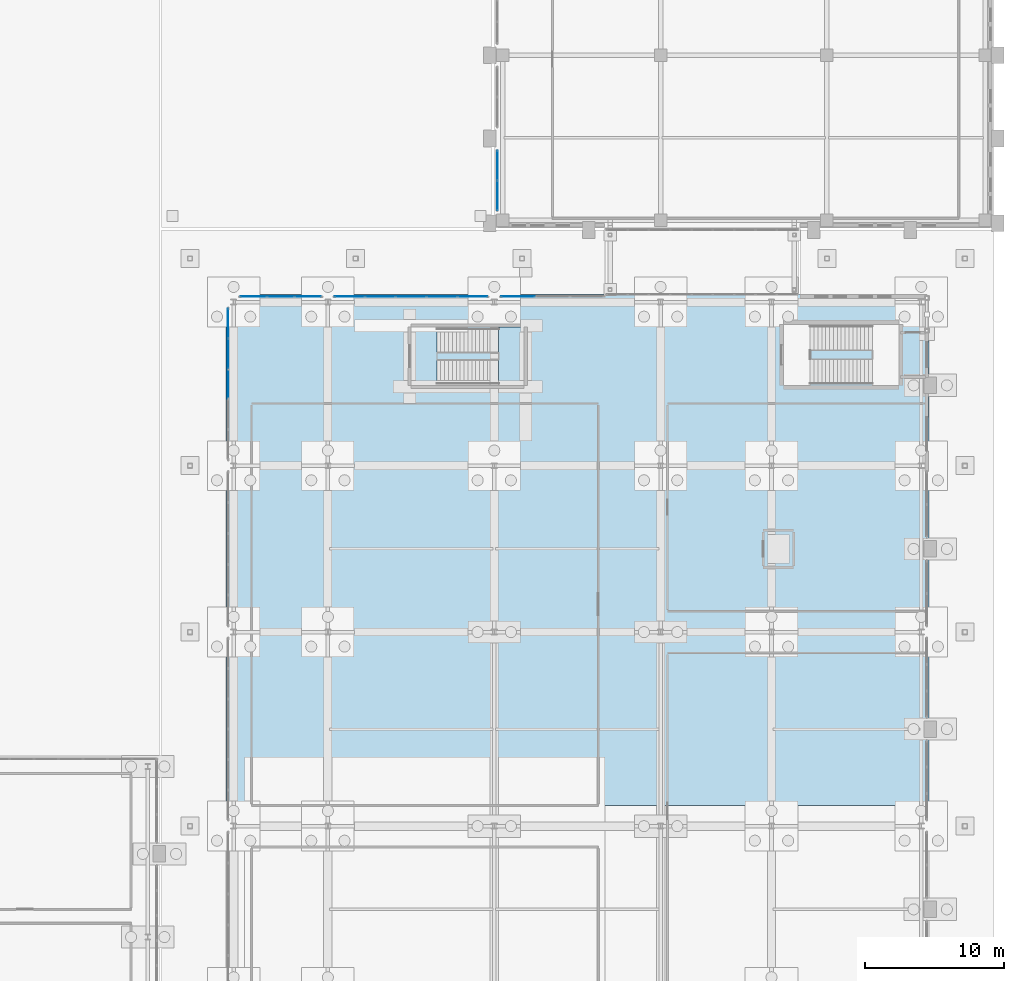
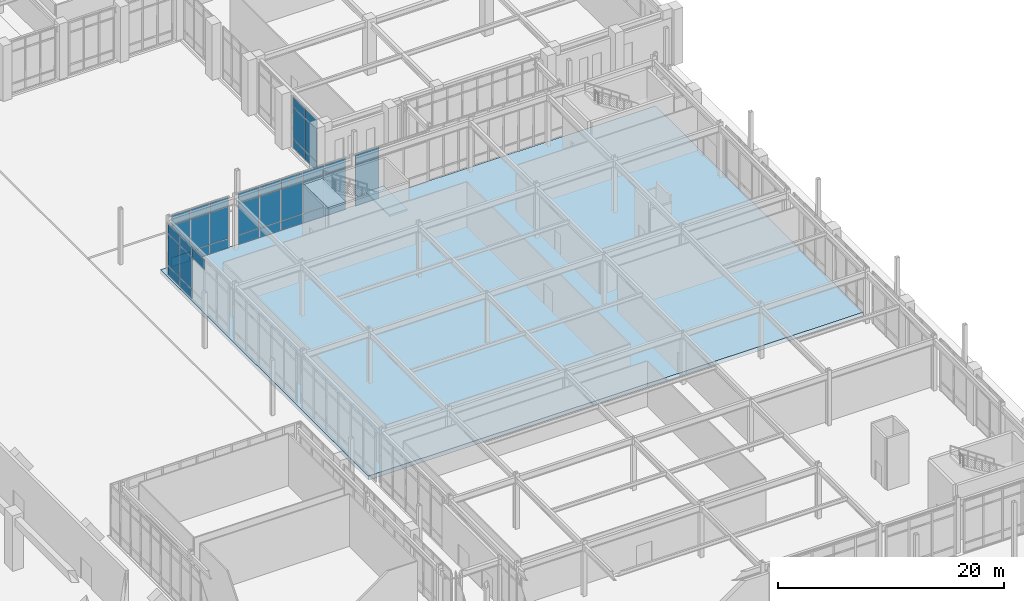
# One storey, part 93 of 143: 40 plates, 3 slabs, 6 elements without a shape of their own.
"""IFC4 building model written with IfcOpenShell, lengths in metres."""

import ifcopenshell
import ifcopenshell.guid

model = None  # the IFC model being written
_history = None  # IfcOwnerHistory: only IFC2X3 demands one
_inside = {}  # id of a spatial element -> (the spatial element, [elements in it])
_under = {}  # id of a project, library or spatial element -> (it, [spatial elements below it])
_declared = {}  # id of a project -> (the project, [libraries it declares])
_typed = {}  # id of a type object -> (the type object, [elements of that type])
_made_of = {}  # id of a material, layer set ... -> (it, [elements and type objects made of it])


def new_model(schema):
    """Start an empty IFC model of exactly this schema.

    Asked for "IFC4X3", IfcOpenShell would pick the latest addendum, in which some entities
    have other attributes; the version numbers below select the first issue.
    IFC2X3 requires an IfcOwnerHistory on every rooted entity: one is made here for all.
    """
    global model, _history
    if schema == "IFC4X3":
        model = ifcopenshell.file(schema_version=(4, 3, 0, 0))
    else:
        model = ifcopenshell.file(schema=schema)
    _inside.clear()
    _under.clear()
    _declared.clear()
    _typed.clear()
    _made_of.clear()
    _history = None
    if model.schema == "IFC2X3":
        org = make("IfcOrganization", Name="unknown")
        user = make(
            "IfcPersonAndOrganization",
            ThePerson=make("IfcPerson", FamilyName="unknown"),
            TheOrganization=org,
        )
        app = make(
            "IfcApplication",
            ApplicationDeveloper=org,
            Version="unknown",
            ApplicationFullName="unknown",
            ApplicationIdentifier="unknown",
        )
        _history = make(
            "IfcOwnerHistory",
            OwningUser=user,
            OwningApplication=app,
            ChangeAction="ADDED",
            CreationDate=0,
        )
    return model


def make(cls, **values):
    """One entity of the class cls with the attributes given. An attribute that is None is left unset."""
    return model.create_entity(
        cls, **{name: value for name, value in values.items() if value is not None}
    )


def rooted(cls, **values):
    """An entity with a GlobalId (a new one), such as an element, a storey or a relation."""
    return make(cls, GlobalId=ifcopenshell.guid.new(), OwnerHistory=_history, **values)


def si_unit(unit_type, name, prefix=None):
    """IfcSIUnit, for example si_unit("LENGTHUNIT", "METRE", prefix="MILLI")."""
    return make("IfcSIUnit", UnitType=unit_type, Prefix=prefix, Name=name)


def derived_unit(unit_type, elements):
    """IfcDerivedUnit: a product of units, each with its exponent."""
    return make(
        "IfcDerivedUnit",
        Elements=[
            make("IfcDerivedUnitElement", Unit=unit, Exponent=power)
            for unit, power in elements
        ],
        UnitType=unit_type,
    )


def assignment(units):
    """IfcUnitAssignment: the units of a project."""
    return None if units is None else make("IfcUnitAssignment", Units=units)


def point(xyz):
    """IfcCartesianPoint."""
    return None if xyz is None else make("IfcCartesianPoint", Coordinates=xyz)


def direction(xyz):
    """IfcDirection."""
    return None if xyz is None else make("IfcDirection", DirectionRatios=xyz)


def frame(location, z_axis=None, x_axis=None):
    """IfcAxis2Placement3D, a coordinate frame: its origin and axes. An axis left out is left unset."""
    return make(
        "IfcAxis2Placement3D",
        Location=point(location),
        Axis=direction(z_axis),
        RefDirection=direction(x_axis),
    )


def frame_2d(location, x_axis=None):
    """IfcAxis2Placement2D, a coordinate frame in the plane: its origin and x axis."""
    return make(
        "IfcAxis2Placement2D", Location=point(location), RefDirection=direction(x_axis)
    )


def origin():
    """The frame at (0, 0, 0) with its axes left unset."""
    return frame((0.0, 0.0, 0.0))


def origin_2d():
    """The frame at (0, 0) in the plane with its x axis left unset."""
    return frame_2d((0.0, 0.0))


def place(relative_to, where):
    """IfcLocalPlacement: puts the frame where relative to a parent placement (None: the world)."""
    return make(
        "IfcLocalPlacement", PlacementRelTo=relative_to, RelativePlacement=where
    )


def context(
    kind, dimensions, precision=None, world=None, true_north=None, identifier=None
):
    """IfcGeometricRepresentationContext, for example the 3D "Model" context."""
    return make(
        "IfcGeometricRepresentationContext",
        ContextIdentifier=identifier,
        ContextType=kind,
        CoordinateSpaceDimension=dimensions,
        Precision=precision,
        WorldCoordinateSystem=world,
        TrueNorth=true_north,
    )


def subcontext(parent, identifier, kind, view, scale=None):
    """IfcGeometricRepresentationSubContext, for example "Body" below "Model"."""
    return make(
        "IfcGeometricRepresentationSubContext",
        ContextIdentifier=identifier,
        ContextType=kind,
        ParentContext=parent,
        TargetScale=scale,
        TargetView=view,
    )


def project(units=None, contexts=None):
    """IfcProject with its units and contexts."""
    return rooted(
        "IfcProject",
        Name="project",
        RepresentationContexts=contexts,
        UnitsInContext=assignment(units),
    )


def spatial(cls, under=None, at=None, **own):
    """A site, building, storey or space (cls), placed at a placement, below another one or the project."""
    s = rooted(cls, ObjectPlacement=at, **own)
    if under is not None:
        _under.setdefault(under.id(), (under, []))[1].append(s)
    return s


def polyline(points):
    """IfcPolyline through the points."""
    return make("IfcPolyline", Points=[point(p) for p in points])


def profile(cls, at=None, kind="AREA", **sizes):
    """A parametric profile (cls). Its sizes go by their IFC names, for example OverallWidth=200.0."""
    return make(cls, ProfileType=kind, Position=at, **sizes)


def rectangle(**sizes):
    """IfcRectangleProfileDef."""
    return profile("IfcRectangleProfileDef", **sizes)


def outline(outer, holes=None, kind="AREA"):
    """IfcArbitraryClosedProfileDef: a profile drawn as a closed curve; with holes, ...WithVoids."""
    if holes is None:
        return make("IfcArbitraryClosedProfileDef", ProfileType=kind, OuterCurve=outer)
    return make(
        "IfcArbitraryProfileDefWithVoids",
        ProfileType=kind,
        OuterCurve=outer,
        InnerCurves=holes,
    )


def extrude(swept, where, along, depth):
    """IfcExtrudedAreaSolid: the profile swept, set in the frame where, extruded along a direction by depth."""
    return make(
        "IfcExtrudedAreaSolid",
        SweptArea=swept,
        Position=where,
        ExtrudedDirection=direction(along),
        Depth=depth,
    )


def shape(context_of_items, identifier, shape_type, items):
    """IfcShapeRepresentation: the items that make up one representation, for example the "Body"."""
    return make(
        "IfcShapeRepresentation",
        ContextOfItems=context_of_items,
        RepresentationIdentifier=identifier,
        RepresentationType=shape_type,
        Items=items,
    )


def material(Name=None, Category=None):
    """IfcMaterial."""
    return make("IfcMaterial", Name=Name, Category=Category)


def layer(
    of_material, thickness, ventilated=None, Name=None, Category=None, Priority=None
):
    """IfcMaterialLayer: one layer of a wall or slab, of a material (None: an air gap)."""
    return make(
        "IfcMaterialLayer",
        Material=of_material,
        LayerThickness=thickness,
        IsVentilated=ventilated,
        Name=Name,
        Category=Category,
        Priority=Priority,
    )


def layer_set(layers, Name=None):
    """IfcMaterialLayerSet."""
    return make("IfcMaterialLayerSet", MaterialLayers=layers, LayerSetName=Name)


def made_of(thing, what):
    """Note that an element or type object is made of a material, layer set ...; save() writes the relation."""
    if what is not None:
        _made_of.setdefault(what.id(), (what, []))[1].append(thing)
    return thing


def type_object(cls, material=None, **own):
    """A type object (cls), such as IfcWallType, which elements share."""
    return made_of(rooted(cls, **own), material)


def element(
    cls,
    number,
    at=None,
    inside=None,
    cuts=None,
    type_object=None,
    material=None,
    context=None,
    identifier="Body",
    shape_type=None,
    held_by="IfcProductDefinitionShape",
    body=None,
    shapes=None,
    **own,
):
    """One element of the class cls, such as IfcWall. Its Tag is "e" and its number.

    at: its placement. inside: the storey or other place that contains it. cuts: it is an
    opening in that element (IfcRelVoidsElement). A single representation is given by context,
    identifier, shape_type and body (its items); several are given by shapes. held_by: the class
    of the entity that holds the representations. save() writes the other relations.
    """
    e = rooted(cls, Tag="e%d" % number, ObjectPlacement=at, **own)
    if body is not None:
        shapes = [shape(context, identifier, shape_type, body)]
    if shapes is not None:
        e.Representation = make(held_by, Representations=shapes)
    if inside is not None:
        _inside.setdefault(inside.id(), (inside, []))[1].append(e)
    if cuts is not None:
        rooted(
            "IfcRelVoidsElement", RelatingBuildingElement=cuts, RelatedOpeningElement=e
        )
    if type_object is not None:
        _typed.setdefault(type_object.id(), (type_object, []))[1].append(e)
    return made_of(e, material)


def aggregate(whole, parts):
    """IfcRelAggregates: a whole, such as a stair, and the parts it consists of."""
    return rooted("IfcRelAggregates", RelatingObject=whole, RelatedObjects=parts)


def save(model, path):
    """Write the relations noted so far, then the file.

    IfcRelAggregates (storeys below a building ...), IfcRelContainedInSpatialStructure (elements
    in a storey), IfcRelDefinesByType, IfcRelAssociatesMaterial and IfcRelDeclares: one each for
    every whole, place, type object, material and project.
    """
    for whole, parts in _under.values():
        aggregate(whole, parts)
    for where, things in _inside.values():
        rooted(
            "IfcRelContainedInSpatialStructure",
            RelatedElements=things,
            RelatingStructure=where,
        )
    for kind, things in _typed.values():
        rooted("IfcRelDefinesByType", RelatedObjects=things, RelatingType=kind)
    for what, things in _made_of.values():
        rooted("IfcRelAssociatesMaterial", RelatedObjects=things, RelatingMaterial=what)
    for by, libraries in _declared.values():
        rooted("IfcRelDeclares", RelatingContext=by, RelatedDefinitions=libraries)
    model.write(path)


model = new_model("IFC4")

# Units and contexts
model_context = context("Model", 3, precision=1e-05, world=origin(), true_north=direction((0.0, 1.0)))
body_context = subcontext(model_context, "Body", "Model", "MODEL_VIEW")
ifc_project = project(units=[si_unit("LENGTHUNIT", "METRE"), si_unit("AREAUNIT", "SQUARE_METRE"), si_unit("VOLUMEUNIT", "CUBIC_METRE"), si_unit("PLANEANGLEUNIT", "RADIAN"), si_unit("MASSUNIT", "GRAM", prefix="KILO"), derived_unit("THERMALTRANSMITTANCEUNIT", [(si_unit("MASSUNIT", "GRAM", prefix="KILO"), 1), (si_unit("TIMEUNIT", "SECOND"), -3), (si_unit("THERMODYNAMICTEMPERATUREUNIT", "KELVIN"), -1)])], contexts=[model_context])

# Site, building, storey
site_placement = place(None, origin())
site = spatial("IfcSite", under=ifc_project, at=site_placement, CompositionType="ELEMENT")
building_placement = place(site_placement, origin())
building = spatial("IfcBuilding", under=site, at=building_placement, Name="Valcora Ridge Arena", CompositionType="ELEMENT")
storey_placement = place(building_placement, origin())
storey = spatial("IfcBuildingStorey", under=building, at=storey_placement, Name="L00", CompositionType="ELEMENT", Elevation=0.0)

# Stair, slabs
ifc_material_1 = material(Name="Concrete C40/50", Category="concrete")
stair_type = type_object("IfcStairType", Name="TY-STAIR-ES12-60", PredefinedType="HALF_TURN_STAIR", material=ifc_material_1)
stair_placement = place(storey_placement, origin())
stair = element("IfcStair", 1, at=stair_placement, inside=storey, type_object=stair_type, Name="ES12-60 STR-ES-0037", PredefinedType="HALF_TURN_STAIR")
ifc_layer_1 = layer(ifc_material_1, 0.199951171875, Name="Concrete C40/50")
ifc_layer_set_1 = layer_set([ifc_layer_1], Name="Concrete C40/50")
slab_type_1 = type_object("IfcSlabType", Name="TY-LAND-ES12-60", PredefinedType="LANDING", material=ifc_layer_set_1)
slab_1_placement = place(storey_placement, frame((0.0, 0.0, 2.800048828125)))
slab_1 = element("IfcSlab", 2, at=slab_1_placement, type_object=slab_type_1, Name="ES12-60 landing 1", PredefinedType="LANDING", context=body_context, shape_type="SweptSolid", body=[
    extrude(outline(polyline([(156.320068359375, 71.802001953125), (158.157958984375, 71.802001953125), (158.157958984375, 75.998046875), (156.320068359375, 75.998046875), (156.320068359375, 71.802001953125)])), origin(), (0.0, 0.0, 1.0), 0.199951171875),
])
slab_2_placement = place(storey_placement, frame((0.0, 0.0, 5.800048828125)))
slab_2 = element("IfcSlab", 3, at=slab_2_placement, type_object=slab_type_1, Name="ES12-60 landing 2", PredefinedType="LANDING", context=body_context, shape_type="SweptSolid", body=[
    extrude(outline(polyline([(150.001953125, 71.802001953125), (151.8798828125, 71.802001953125), (151.8798828125, 75.998046875), (150.001953125, 75.998046875), (150.001953125, 71.802001953125)])), origin(), (0.0, 0.0, 1.0), 0.199951171875),
])
aggregate(stair, [slab_1, slab_2])

# Curtain wall, plates
ifc_material_2 = material(Name="Anodised dark bronze architectural aluminium 6063-T6", Category="aluminium")
ifc_layer_2 = layer(ifc_material_2, 0.179931640625, Name="Anodised dark bronze architectural aluminium 6063-T6")
ifc_layer_set_2 = layer_set([ifc_layer_2], Name="Anodised dark bronze architectural aluminium 6063-T6")
curtain_wall_type_1 = type_object("IfcCurtainWallType", Name="TY-CURTAINWALL-CW-V2-GLAZ-059X56", PredefinedType="NOTDEFINED", material=ifc_layer_set_2)
curtain_wall_1_placement = place(storey_placement, origin())
curtain_wall_1 = element("IfcCurtainWall", 4, at=curtain_wall_1_placement, inside=storey, type_object=curtain_wall_type_1, Name="CW-V2-GLAZ-059X56 CW-0036", PredefinedType="NOTDEFINED")
ifc_material_3 = material(Name="Low-iron solar-control double glazing SHGC 0.28", Category="glass")
ifc_layer_3 = layer(ifc_material_3, 0.028076171875, Name="Low-iron solar-control double glazing SHGC 0.28")
ifc_layer_set_3 = layer_set([ifc_layer_3], Name="Low-iron solar-control double glazing SHGC 0.28")
plate_type_1 = type_object("IfcPlateType", Name="TY-PLT-CWP-1884X0975", PredefinedType="CURTAIN_PANEL", material=ifc_layer_set_3)
plate_1_placement = place(storey_placement, frame((138.6416015625, 78.199951171875, 0.050048828125), z_axis=(0.0, 0.0, 1.0), x_axis=(1.0, 0.0, 0.0)))
plate_1 = element("IfcPlate", 5, at=plate_1_placement, type_object=plate_type_1, Name="CW-0036/P00-00", PredefinedType="CURTAIN_PANEL", context=body_context, shape_type="SweptSolid", body=[
    extrude(rectangle(XDim=1.884033203125, YDim=0.028076171875, at=origin_2d()), origin(), (0.0, 0.0, 1.0), 0.97509765625),
])
plate_2_placement = place(storey_placement, frame((142.55859375, 78.199951171875, 0.050048828125), z_axis=(0.0, 0.0, 1.0), x_axis=(1.0, 0.0, 0.0)))
plate_2 = element("IfcPlate", 6, at=plate_2_placement, type_object=plate_type_1, Name="CW-0036/P02-00", PredefinedType="CURTAIN_PANEL", context=body_context, shape_type="SweptSolid", body=[
    extrude(rectangle(XDim=1.884033203125, YDim=0.028076171875, at=origin_2d()), origin(), (0.0, 0.0, 1.0), 0.97509765625),
])
ifc_layer_4 = layer(ifc_material_3, 0.028076171875, Name="Low-iron solar-control double glazing SHGC 0.28")
ifc_layer_set_4 = layer_set([ifc_layer_4], Name="Low-iron solar-control double glazing SHGC 0.28")
plate_type_2 = type_object("IfcPlateType", Name="TY-PLT-CWP-1884X1025", PredefinedType="CURTAIN_PANEL", material=ifc_layer_set_4)
plate_3_placement = place(storey_placement, frame((138.6416015625, 78.199951171875, 4.545166015625), z_axis=(0.0, 0.0, 1.0), x_axis=(1.0, 0.0, 0.0)))
plate_3 = element("IfcPlate", 7, at=plate_3_placement, type_object=plate_type_2, Name="CW-0036/P00-02", PredefinedType="CURTAIN_PANEL", context=body_context, shape_type="SweptSolid", body=[
    extrude(rectangle(XDim=1.884033203125, YDim=0.028076171875, at=origin_2d()), origin(), (0.0, 0.0, 1.0), 1.02490234375),
])
plate_4_placement = place(storey_placement, frame((142.55859375, 78.199951171875, 4.545166015625), z_axis=(0.0, 0.0, 1.0), x_axis=(1.0, 0.0, 0.0)))
plate_4 = element("IfcPlate", 8, at=plate_4_placement, type_object=plate_type_2, Name="CW-0036/P02-02", PredefinedType="CURTAIN_PANEL", context=body_context, shape_type="SweptSolid", body=[
    extrude(rectangle(XDim=1.884033203125, YDim=0.028076171875, at=origin_2d()), origin(), (0.0, 0.0, 1.0), 1.02490234375),
])
ifc_layer_5 = layer(ifc_material_3, 0.028076171875, Name="Low-iron solar-control double glazing SHGC 0.28")
ifc_layer_set_5 = layer_set([ifc_layer_5], Name="Low-iron solar-control double glazing SHGC 0.28")
plate_type_3 = type_object("IfcPlateType", Name="TY-PLT-CWP-1884X3420", PredefinedType="CURTAIN_PANEL", material=ifc_layer_set_5)
plate_5_placement = place(storey_placement, frame((138.6416015625, 78.199951171875, 1.074951171875), z_axis=(0.0, 0.0, 1.0), x_axis=(1.0, 0.0, 0.0)))
plate_5 = element("IfcPlate", 9, at=plate_5_placement, type_object=plate_type_3, Name="CW-0036/P00-01", PredefinedType="CURTAIN_PANEL", context=body_context, shape_type="SweptSolid", body=[
    extrude(rectangle(XDim=1.884033203125, YDim=0.028076171875, at=origin_2d()), origin(), (0.0, 0.0, 1.0), 3.419921875),
])
plate_6_placement = place(storey_placement, frame((142.55859375, 78.199951171875, 1.074951171875), z_axis=(0.0, 0.0, 1.0), x_axis=(1.0, 0.0, 0.0)))
plate_6 = element("IfcPlate", 10, at=plate_6_placement, type_object=plate_type_3, Name="CW-0036/P02-01", PredefinedType="CURTAIN_PANEL", context=body_context, shape_type="SweptSolid", body=[
    extrude(rectangle(XDim=1.884033203125, YDim=0.028076171875, at=origin_2d()), origin(), (0.0, 0.0, 1.0), 3.419921875),
])
ifc_layer_6 = layer(ifc_material_3, 0.028076171875, Name="Low-iron solar-control double glazing SHGC 0.28")
ifc_layer_set_6 = layer_set([ifc_layer_6], Name="Low-iron solar-control double glazing SHGC 0.28")
plate_type_4 = type_object("IfcPlateType", Name="TY-PLT-CWP-1913X0975", PredefinedType="CURTAIN_PANEL", material=ifc_layer_set_6)
plate_7_placement = place(storey_placement, frame((140.60009765625, 78.199951171875, 0.050048828125), z_axis=(0.0, 0.0, 1.0), x_axis=(1.0, 0.0, 0.0)))
plate_7 = element("IfcPlate", 11, at=plate_7_placement, type_object=plate_type_4, Name="CW-0036/P01-00", PredefinedType="CURTAIN_PANEL", context=body_context, shape_type="SweptSolid", body=[
    extrude(rectangle(XDim=1.9130859375, YDim=0.028076171875, at=origin_2d()), origin(), (0.0, 0.0, 1.0), 0.97509765625),
])
ifc_layer_7 = layer(ifc_material_3, 0.028076171875, Name="Low-iron solar-control double glazing SHGC 0.28")
ifc_layer_set_7 = layer_set([ifc_layer_7], Name="Low-iron solar-control double glazing SHGC 0.28")
plate_type_5 = type_object("IfcPlateType", Name="TY-PLT-CWP-1913X1025", PredefinedType="CURTAIN_PANEL", material=ifc_layer_set_7)
plate_8_placement = place(storey_placement, frame((140.60009765625, 78.199951171875, 4.545166015625), z_axis=(0.0, 0.0, 1.0), x_axis=(1.0, 0.0, 0.0)))
plate_8 = element("IfcPlate", 12, at=plate_8_placement, type_object=plate_type_5, Name="CW-0036/P01-02", PredefinedType="CURTAIN_PANEL", context=body_context, shape_type="SweptSolid", body=[
    extrude(rectangle(XDim=1.9130859375, YDim=0.028076171875, at=origin_2d()), origin(), (0.0, 0.0, 1.0), 1.02490234375),
])
ifc_layer_8 = layer(ifc_material_3, 0.028076171875, Name="Low-iron solar-control double glazing SHGC 0.28")
ifc_layer_set_8 = layer_set([ifc_layer_8], Name="Low-iron solar-control double glazing SHGC 0.28")
plate_type_6 = type_object("IfcPlateType", Name="TY-PLT-CWP-1913X3420", PredefinedType="CURTAIN_PANEL", material=ifc_layer_set_8)
plate_9_placement = place(storey_placement, frame((140.60009765625, 78.199951171875, 1.074951171875), z_axis=(0.0, 0.0, 1.0), x_axis=(1.0, 0.0, 0.0)))
plate_9 = element("IfcPlate", 13, at=plate_9_placement, type_object=plate_type_6, Name="CW-0036/P01-01", PredefinedType="CURTAIN_PANEL", context=body_context, shape_type="SweptSolid", body=[
    extrude(rectangle(XDim=1.9130859375, YDim=0.028076171875, at=origin_2d()), origin(), (0.0, 0.0, 1.0), 3.419921875),
])
aggregate(curtain_wall_1, [plate_1, plate_5, plate_3, plate_7, plate_9, plate_8, plate_2, plate_6, plate_4])

ifc_layer_9 = layer(ifc_material_2, 0.179931640625, Name="Anodised dark bronze architectural aluminium 6063-T6")
ifc_layer_set_9 = layer_set([ifc_layer_9], Name="Anodised dark bronze architectural aluminium 6063-T6")
curtain_wall_type_2 = type_object("IfcCurtainWallType", Name="TY-CURTAINWALL-CW-V2-GLAZ-109X56", PredefinedType="NOTDEFINED", material=ifc_layer_set_9)
curtain_wall_2_placement = place(storey_placement, origin())
curtain_wall_2 = element("IfcCurtainWall", 14, at=curtain_wall_2_placement, inside=storey, type_object=curtain_wall_type_2, Name="CW-V2-GLAZ-109X56 CW-0024", PredefinedType="NOTDEFINED")
ifc_layer_10 = layer(ifc_material_3, 0.028076171875, Name="Low-iron solar-control double glazing SHGC 0.28")
ifc_layer_set_10 = layer_set([ifc_layer_10], Name="Low-iron solar-control double glazing SHGC 0.28")
plate_type_7 = type_object("IfcPlateType", Name="TY-PLT-CWP-2097X0975", PredefinedType="CURTAIN_PANEL", material=ifc_layer_set_10)
plate_10_placement = place(storey_placement, frame((136.800048828125, 76.258544921875, 0.050048828125), z_axis=(0.0, 0.0, 1.0), x_axis=(0.0, 1.0, 0.0)))
plate_10 = element("IfcPlate", 15, at=plate_10_placement, type_object=plate_type_7, Name="CW-0024/P04-00", PredefinedType="CURTAIN_PANEL", context=body_context, shape_type="SweptSolid", body=[
    extrude(rectangle(XDim=2.096923828125, YDim=0.028076171875, at=origin_2d()), origin(), (0.0, 0.0, 1.0), 0.97509765625),
])
ifc_layer_11 = layer(ifc_material_3, 0.028076171875, Name="Low-iron solar-control double glazing SHGC 0.28")
ifc_layer_set_11 = layer_set([ifc_layer_11], Name="Low-iron solar-control double glazing SHGC 0.28")
plate_type_8 = type_object("IfcPlateType", Name="TY-PLT-CWP-2097X1025", PredefinedType="CURTAIN_PANEL", material=ifc_layer_set_11)
plate_11_placement = place(storey_placement, frame((136.800048828125, 76.258544921875, 4.545166015625), z_axis=(0.0, 0.0, 1.0), x_axis=(0.0, 1.0, 0.0)))
plate_11 = element("IfcPlate", 16, at=plate_11_placement, type_object=plate_type_8, Name="CW-0024/P04-02", PredefinedType="CURTAIN_PANEL", context=body_context, shape_type="SweptSolid", body=[
    extrude(rectangle(XDim=2.096923828125, YDim=0.028076171875, at=origin_2d()), origin(), (0.0, 0.0, 1.0), 1.02490234375),
])
ifc_layer_12 = layer(ifc_material_3, 0.028076171875, Name="Low-iron solar-control double glazing SHGC 0.28")
ifc_layer_set_12 = layer_set([ifc_layer_12], Name="Low-iron solar-control double glazing SHGC 0.28")
plate_type_9 = type_object("IfcPlateType", Name="TY-PLT-CWP-2097X3420", PredefinedType="CURTAIN_PANEL", material=ifc_layer_set_12)
plate_12_placement = place(storey_placement, frame((136.800048828125, 76.258544921875, 1.074951171875), z_axis=(0.0, 0.0, 1.0), x_axis=(0.0, 1.0, 0.0)))
plate_12 = element("IfcPlate", 17, at=plate_12_placement, type_object=plate_type_9, Name="CW-0024/P04-01", PredefinedType="CURTAIN_PANEL", context=body_context, shape_type="SweptSolid", body=[
    extrude(rectangle(XDim=2.096923828125, YDim=0.028076171875, at=origin_2d()), origin(), (0.0, 0.0, 1.0), 3.419921875),
])

ifc_layer_13 = layer(ifc_material_2, 0.14990234375, Name="Anodised dark bronze architectural aluminium 6063-T6")
ifc_layer_set_13 = layer_set([ifc_layer_13], Name="Anodised dark bronze architectural aluminium 6063-T6")
curtain_wall_type_3 = type_object("IfcCurtainWallType", Name="TY-CURTAINWALL-CW-V5-MED-044X56", PredefinedType="NOTDEFINED", material=ifc_layer_set_13)
curtain_wall_3_placement = place(storey_placement, origin())
curtain_wall_3 = element("IfcCurtainWall", 18, at=curtain_wall_3_placement, inside=storey, type_object=curtain_wall_type_3, Name="CW-V5-MED-044X56 CW-0312", PredefinedType="NOTDEFINED")
ifc_layer_14 = layer(ifc_material_3, 0.028076171875, Name="Low-iron solar-control double glazing SHGC 0.28")
ifc_layer_set_14 = layer_set([ifc_layer_14], Name="Low-iron solar-control double glazing SHGC 0.28")
plate_type_10 = type_object("IfcPlateType", Name="TY-PLT-CWP-2110X0975", PredefinedType="CURTAIN_PANEL", material=ifc_layer_set_14)
plate_13_placement = place(storey_placement, frame((156.219970703125, 85.4951171875, 0.050048828125), z_axis=(0.0, 0.0, 1.0), x_axis=(0.0, 1.0, 0.0)))
plate_13 = element("IfcPlate", 19, at=plate_13_placement, type_object=plate_type_10, Name="CW-0312/P00-00", PredefinedType="CURTAIN_PANEL", context=body_context, shape_type="SweptSolid", body=[
    extrude(rectangle(XDim=2.110107421875, YDim=0.028076171875, at=origin_2d()), origin(), (0.0, 0.0, 1.0), 0.97509765625),
])
plate_14_placement = place(storey_placement, frame((156.219970703125, 87.655029296875, 0.050048828125), z_axis=(0.0, 0.0, 1.0), x_axis=(0.0, 1.0, 0.0)))
plate_14 = element("IfcPlate", 20, at=plate_14_placement, type_object=plate_type_10, Name="CW-0312/P01-00", PredefinedType="CURTAIN_PANEL", context=body_context, shape_type="SweptSolid", body=[
    extrude(rectangle(XDim=2.110107421875, YDim=0.028076171875, at=origin_2d()), origin(), (0.0, 0.0, 1.0), 0.97509765625),
])
ifc_layer_15 = layer(ifc_material_3, 0.028076171875, Name="Low-iron solar-control double glazing SHGC 0.28")
ifc_layer_set_15 = layer_set([ifc_layer_15], Name="Low-iron solar-control double glazing SHGC 0.28")
plate_type_11 = type_object("IfcPlateType", Name="TY-PLT-CWP-2110X1025", PredefinedType="CURTAIN_PANEL", material=ifc_layer_set_15)
plate_15_placement = place(storey_placement, frame((156.219970703125, 85.4951171875, 4.56494140625), z_axis=(0.0, 0.0, 1.0), x_axis=(0.0, 1.0, 0.0)))
plate_15 = element("IfcPlate", 21, at=plate_15_placement, type_object=plate_type_11, Name="CW-0312/P00-02", PredefinedType="CURTAIN_PANEL", context=body_context, shape_type="SweptSolid", body=[
    extrude(rectangle(XDim=2.110107421875, YDim=0.028076171875, at=origin_2d()), origin(), (0.0, 0.0, 1.0), 1.02490234375),
])
plate_16_placement = place(storey_placement, frame((156.219970703125, 87.655029296875, 4.56494140625), z_axis=(0.0, 0.0, 1.0), x_axis=(0.0, 1.0, 0.0)))
plate_16 = element("IfcPlate", 22, at=plate_16_placement, type_object=plate_type_11, Name="CW-0312/P01-02", PredefinedType="CURTAIN_PANEL", context=body_context, shape_type="SweptSolid", body=[
    extrude(rectangle(XDim=2.110107421875, YDim=0.028076171875, at=origin_2d()), origin(), (0.0, 0.0, 1.0), 1.02490234375),
])
ifc_layer_16 = layer(ifc_material_3, 0.028076171875, Name="Low-iron solar-control double glazing SHGC 0.28")
ifc_layer_set_16 = layer_set([ifc_layer_16], Name="Low-iron solar-control double glazing SHGC 0.28")
plate_type_12 = type_object("IfcPlateType", Name="TY-PLT-CWP-2110X3440", PredefinedType="CURTAIN_PANEL", material=ifc_layer_set_16)
plate_17_placement = place(storey_placement, frame((156.219970703125, 85.4951171875, 1.074951171875), z_axis=(0.0, 0.0, 1.0), x_axis=(0.0, 1.0, 0.0)))
plate_17 = element("IfcPlate", 23, at=plate_17_placement, type_object=plate_type_12, Name="CW-0312/P00-01", PredefinedType="CURTAIN_PANEL", context=body_context, shape_type="SweptSolid", body=[
    extrude(rectangle(XDim=2.110107421875, YDim=0.028076171875, at=origin_2d()), origin(), (0.0, 0.0, 1.0), 3.43994140625),
])
plate_18_placement = place(storey_placement, frame((156.219970703125, 87.655029296875, 1.074951171875), z_axis=(0.0, 0.0, 1.0), x_axis=(0.0, 1.0, 0.0)))
plate_18 = element("IfcPlate", 24, at=plate_18_placement, type_object=plate_type_12, Name="CW-0312/P01-01", PredefinedType="CURTAIN_PANEL", context=body_context, shape_type="SweptSolid", body=[
    extrude(rectangle(XDim=2.110107421875, YDim=0.028076171875, at=origin_2d()), origin(), (0.0, 0.0, 1.0), 3.43994140625),
])
aggregate(curtain_wall_3, [plate_13, plate_17, plate_15, plate_14, plate_18, plate_16])

# Plate
ifc_layer_17 = layer(ifc_material_3, 0.028076171875, Name="Low-iron solar-control double glazing SHGC 0.28")
ifc_layer_set_17 = layer_set([ifc_layer_17], Name="Low-iron solar-control double glazing SHGC 0.28")
plate_type_13 = type_object("IfcPlateType", Name="TY-PLT-CWP-2126X1025", PredefinedType="CURTAIN_PANEL", material=ifc_layer_set_17)
plate_19_placement = place(storey_placement, frame((136.800048828125, 71.89990234375, 4.545166015625), z_axis=(0.0, 0.0, 1.0), x_axis=(0.0, 1.0, 0.0)))
plate_19 = element("IfcPlate", 25, at=plate_19_placement, type_object=plate_type_13, Name="CW-0024/P02-02", PredefinedType="CURTAIN_PANEL", context=body_context, shape_type="SweptSolid", body=[
    extrude(rectangle(XDim=2.1259765625, YDim=0.028076171875, at=origin_2d()), origin(), (0.0, 0.0, 1.0), 1.02490234375),
])

ifc_layer_18 = layer(ifc_material_3, 0.028076171875, Name="Low-iron solar-control double glazing SHGC 0.28")
ifc_layer_set_18 = layer_set([ifc_layer_18], Name="Low-iron solar-control double glazing SHGC 0.28")
plate_type_14 = type_object("IfcPlateType", Name="TY-PLT-CWP-2127X0975", PredefinedType="CURTAIN_PANEL", material=ifc_layer_set_18)
plate_20_placement = place(storey_placement, frame((136.800048828125, 74.08642578125, 0.050048828125), z_axis=(0.0, 0.0, 1.0), x_axis=(0.0, 1.0, 0.0)))
plate_20 = element("IfcPlate", 26, at=plate_20_placement, type_object=plate_type_14, Name="CW-0024/P03-00", PredefinedType="CURTAIN_PANEL", context=body_context, shape_type="SweptSolid", body=[
    extrude(rectangle(XDim=2.126953125, YDim=0.028076171875, at=origin_2d()), origin(), (0.0, 0.0, 1.0), 0.97509765625),
])

ifc_layer_19 = layer(ifc_material_3, 0.028076171875, Name="Low-iron solar-control double glazing SHGC 0.28")
ifc_layer_set_19 = layer_set([ifc_layer_19], Name="Low-iron solar-control double glazing SHGC 0.28")
plate_type_15 = type_object("IfcPlateType", Name="TY-PLT-CWP-2127X1025", PredefinedType="CURTAIN_PANEL", material=ifc_layer_set_19)
plate_21_placement = place(storey_placement, frame((136.800048828125, 74.08642578125, 4.545166015625), z_axis=(0.0, 0.0, 1.0), x_axis=(0.0, 1.0, 0.0)))
plate_21 = element("IfcPlate", 27, at=plate_21_placement, type_object=plate_type_15, Name="CW-0024/P03-02", PredefinedType="CURTAIN_PANEL", context=body_context, shape_type="SweptSolid", body=[
    extrude(rectangle(XDim=2.126953125, YDim=0.028076171875, at=origin_2d()), origin(), (0.0, 0.0, 1.0), 1.02490234375),
])

ifc_layer_20 = layer(ifc_material_3, 0.028076171875, Name="Low-iron solar-control double glazing SHGC 0.28")
ifc_layer_set_20 = layer_set([ifc_layer_20], Name="Low-iron solar-control double glazing SHGC 0.28")
plate_type_16 = type_object("IfcPlateType", Name="TY-PLT-CWP-2127X3420", PredefinedType="CURTAIN_PANEL", material=ifc_layer_set_20)
plate_22_placement = place(storey_placement, frame((136.800048828125, 74.08642578125, 1.074951171875), z_axis=(0.0, 0.0, 1.0), x_axis=(0.0, 1.0, 0.0)))
plate_22 = element("IfcPlate", 28, at=plate_22_placement, type_object=plate_type_16, Name="CW-0024/P03-01", PredefinedType="CURTAIN_PANEL", context=body_context, shape_type="SweptSolid", body=[
    extrude(rectangle(XDim=2.126953125, YDim=0.028076171875, at=origin_2d()), origin(), (0.0, 0.0, 1.0), 3.419921875),
])

aggregate(curtain_wall_2, [plate_19, plate_20, plate_22, plate_21, plate_10, plate_12, plate_11])

# Curtain wall, plates
ifc_layer_21 = layer(ifc_material_2, 0.179931640625, Name="Anodised dark bronze architectural aluminium 6063-T6")
ifc_layer_set_21 = layer_set([ifc_layer_21], Name="Anodised dark bronze architectural aluminium 6063-T6")
curtain_wall_type_4 = type_object("IfcCurtainWallType", Name="TY-CURTAINWALL-CW-V2-GLAZ-111X56", PredefinedType="NOTDEFINED", material=ifc_layer_set_21)
curtain_wall_4_placement = place(storey_placement, origin())
curtain_wall_4 = element("IfcCurtainWall", 29, at=curtain_wall_4_placement, inside=storey, type_object=curtain_wall_type_4, Name="CW-V2-GLAZ-111X56 CW-0037", PredefinedType="NOTDEFINED")
ifc_layer_22 = layer(ifc_material_3, 0.028076171875, Name="Low-iron solar-control double glazing SHGC 0.28")
ifc_layer_set_22 = layer_set([ifc_layer_22], Name="Low-iron solar-control double glazing SHGC 0.28")
plate_type_17 = type_object("IfcPlateType", Name="TY-PLT-CWP-2134X0975", PredefinedType="CURTAIN_PANEL", material=ifc_layer_set_22)
plate_23_placement = place(storey_placement, frame((145.56640625, 78.199951171875, 0.050048828125), z_axis=(0.0, 0.0, 1.0), x_axis=(1.0, 0.0, 0.0)))
plate_23 = element("IfcPlate", 30, at=plate_23_placement, type_object=plate_type_17, Name="CW-0037/P00-00", PredefinedType="CURTAIN_PANEL", context=body_context, shape_type="SweptSolid", body=[
    extrude(rectangle(XDim=2.134033203125, YDim=0.028076171875, at=origin_2d()), origin(), (0.0, 0.0, 1.0), 0.97509765625),
])
plate_24_placement = place(storey_placement, frame((154.43359375, 78.199951171875, 0.050048828125), z_axis=(0.0, 0.0, 1.0), x_axis=(1.0, 0.0, 0.0)))
plate_24 = element("IfcPlate", 31, at=plate_24_placement, type_object=plate_type_17, Name="CW-0037/P04-00", PredefinedType="CURTAIN_PANEL", context=body_context, shape_type="SweptSolid", body=[
    extrude(rectangle(XDim=2.134033203125, YDim=0.028076171875, at=origin_2d()), origin(), (0.0, 0.0, 1.0), 0.97509765625),
])
ifc_layer_23 = layer(ifc_material_3, 0.028076171875, Name="Low-iron solar-control double glazing SHGC 0.28")
ifc_layer_set_23 = layer_set([ifc_layer_23], Name="Low-iron solar-control double glazing SHGC 0.28")
plate_type_18 = type_object("IfcPlateType", Name="TY-PLT-CWP-2134X1025", PredefinedType="CURTAIN_PANEL", material=ifc_layer_set_23)
plate_25_placement = place(storey_placement, frame((145.56640625, 78.199951171875, 4.545166015625), z_axis=(0.0, 0.0, 1.0), x_axis=(1.0, 0.0, 0.0)))
plate_25 = element("IfcPlate", 32, at=plate_25_placement, type_object=plate_type_18, Name="CW-0037/P00-02", PredefinedType="CURTAIN_PANEL", context=body_context, shape_type="SweptSolid", body=[
    extrude(rectangle(XDim=2.134033203125, YDim=0.028076171875, at=origin_2d()), origin(), (0.0, 0.0, 1.0), 1.02490234375),
])
plate_26_placement = place(storey_placement, frame((154.43359375, 78.199951171875, 4.545166015625), z_axis=(0.0, 0.0, 1.0), x_axis=(1.0, 0.0, 0.0)))
plate_26 = element("IfcPlate", 33, at=plate_26_placement, type_object=plate_type_18, Name="CW-0037/P04-02", PredefinedType="CURTAIN_PANEL", context=body_context, shape_type="SweptSolid", body=[
    extrude(rectangle(XDim=2.134033203125, YDim=0.028076171875, at=origin_2d()), origin(), (0.0, 0.0, 1.0), 1.02490234375),
])
ifc_layer_24 = layer(ifc_material_3, 0.028076171875, Name="Low-iron solar-control double glazing SHGC 0.28")
ifc_layer_set_24 = layer_set([ifc_layer_24], Name="Low-iron solar-control double glazing SHGC 0.28")
plate_type_19 = type_object("IfcPlateType", Name="TY-PLT-CWP-2134X3420", PredefinedType="CURTAIN_PANEL", material=ifc_layer_set_24)
plate_27_placement = place(storey_placement, frame((145.56640625, 78.199951171875, 1.074951171875), z_axis=(0.0, 0.0, 1.0), x_axis=(1.0, 0.0, 0.0)))
plate_27 = element("IfcPlate", 34, at=plate_27_placement, type_object=plate_type_19, Name="CW-0037/P00-01", PredefinedType="CURTAIN_PANEL", context=body_context, shape_type="SweptSolid", body=[
    extrude(rectangle(XDim=2.134033203125, YDim=0.028076171875, at=origin_2d()), origin(), (0.0, 0.0, 1.0), 3.419921875),
])
plate_28_placement = place(storey_placement, frame((154.43359375, 78.199951171875, 1.074951171875), z_axis=(0.0, 0.0, 1.0), x_axis=(1.0, 0.0, 0.0)))
plate_28 = element("IfcPlate", 35, at=plate_28_placement, type_object=plate_type_19, Name="CW-0037/P04-01", PredefinedType="CURTAIN_PANEL", context=body_context, shape_type="SweptSolid", body=[
    extrude(rectangle(XDim=2.134033203125, YDim=0.028076171875, at=origin_2d()), origin(), (0.0, 0.0, 1.0), 3.419921875),
])
ifc_layer_25 = layer(ifc_material_3, 0.028076171875, Name="Low-iron solar-control double glazing SHGC 0.28")
ifc_layer_set_25 = layer_set([ifc_layer_25], Name="Low-iron solar-control double glazing SHGC 0.28")
plate_type_20 = type_object("IfcPlateType", Name="TY-PLT-CWP-2164X0975", PredefinedType="CURTAIN_PANEL", material=ifc_layer_set_25)
plate_29_placement = place(storey_placement, frame((147.775390625, 78.199951171875, 0.050048828125), z_axis=(0.0, 0.0, 1.0), x_axis=(1.0, 0.0, 0.0)))
plate_29 = element("IfcPlate", 36, at=plate_29_placement, type_object=plate_type_20, Name="CW-0037/P01-00", PredefinedType="CURTAIN_PANEL", context=body_context, shape_type="SweptSolid", body=[
    extrude(rectangle(XDim=2.1640625, YDim=0.028076171875, at=origin_2d()), origin(), (0.0, 0.0, 1.0), 0.97509765625),
])
plate_30_placement = place(storey_placement, frame((152.224609375, 78.199951171875, 0.050048828125), z_axis=(0.0, 0.0, 1.0), x_axis=(1.0, 0.0, 0.0)))
plate_30 = element("IfcPlate", 37, at=plate_30_placement, type_object=plate_type_20, Name="CW-0037/P03-00", PredefinedType="CURTAIN_PANEL", context=body_context, shape_type="SweptSolid", body=[
    extrude(rectangle(XDim=2.1640625, YDim=0.028076171875, at=origin_2d()), origin(), (0.0, 0.0, 1.0), 0.97509765625),
])
ifc_layer_26 = layer(ifc_material_3, 0.028076171875, Name="Low-iron solar-control double glazing SHGC 0.28")
ifc_layer_set_26 = layer_set([ifc_layer_26], Name="Low-iron solar-control double glazing SHGC 0.28")
plate_type_21 = type_object("IfcPlateType", Name="TY-PLT-CWP-2164X1025", PredefinedType="CURTAIN_PANEL", material=ifc_layer_set_26)
plate_31_placement = place(storey_placement, frame((147.775390625, 78.199951171875, 4.545166015625), z_axis=(0.0, 0.0, 1.0), x_axis=(1.0, 0.0, 0.0)))
plate_31 = element("IfcPlate", 38, at=plate_31_placement, type_object=plate_type_21, Name="CW-0037/P01-02", PredefinedType="CURTAIN_PANEL", context=body_context, shape_type="SweptSolid", body=[
    extrude(rectangle(XDim=2.1640625, YDim=0.028076171875, at=origin_2d()), origin(), (0.0, 0.0, 1.0), 1.02490234375),
])
plate_32_placement = place(storey_placement, frame((152.224609375, 78.199951171875, 4.545166015625), z_axis=(0.0, 0.0, 1.0), x_axis=(1.0, 0.0, 0.0)))
plate_32 = element("IfcPlate", 39, at=plate_32_placement, type_object=plate_type_21, Name="CW-0037/P03-02", PredefinedType="CURTAIN_PANEL", context=body_context, shape_type="SweptSolid", body=[
    extrude(rectangle(XDim=2.1640625, YDim=0.028076171875, at=origin_2d()), origin(), (0.0, 0.0, 1.0), 1.02490234375),
])
ifc_layer_27 = layer(ifc_material_3, 0.028076171875, Name="Low-iron solar-control double glazing SHGC 0.28")
ifc_layer_set_27 = layer_set([ifc_layer_27], Name="Low-iron solar-control double glazing SHGC 0.28")
plate_type_22 = type_object("IfcPlateType", Name="TY-PLT-CWP-2164X3420", PredefinedType="CURTAIN_PANEL", material=ifc_layer_set_27)
plate_33_placement = place(storey_placement, frame((147.775390625, 78.199951171875, 1.074951171875), z_axis=(0.0, 0.0, 1.0), x_axis=(1.0, 0.0, 0.0)))
plate_33 = element("IfcPlate", 40, at=plate_33_placement, type_object=plate_type_22, Name="CW-0037/P01-01", PredefinedType="CURTAIN_PANEL", context=body_context, shape_type="SweptSolid", body=[
    extrude(rectangle(XDim=2.1640625, YDim=0.028076171875, at=origin_2d()), origin(), (0.0, 0.0, 1.0), 3.419921875),
])
plate_34_placement = place(storey_placement, frame((152.224609375, 78.199951171875, 1.074951171875), z_axis=(0.0, 0.0, 1.0), x_axis=(1.0, 0.0, 0.0)))
plate_34 = element("IfcPlate", 41, at=plate_34_placement, type_object=plate_type_22, Name="CW-0037/P03-01", PredefinedType="CURTAIN_PANEL", context=body_context, shape_type="SweptSolid", body=[
    extrude(rectangle(XDim=2.1640625, YDim=0.028076171875, at=origin_2d()), origin(), (0.0, 0.0, 1.0), 3.419921875),
])
ifc_layer_28 = layer(ifc_material_3, 0.028076171875, Name="Low-iron solar-control double glazing SHGC 0.28")
ifc_layer_set_28 = layer_set([ifc_layer_28], Name="Low-iron solar-control double glazing SHGC 0.28")
plate_type_23 = type_object("IfcPlateType", Name="TY-PLT-CWP-2165X0975", PredefinedType="CURTAIN_PANEL", material=ifc_layer_set_28)
plate_35_placement = place(storey_placement, frame((150.0, 78.199951171875, 0.050048828125), z_axis=(0.0, 0.0, 1.0), x_axis=(1.0, 0.0, 0.0)))
plate_35 = element("IfcPlate", 42, at=plate_35_placement, type_object=plate_type_23, Name="CW-0037/P02-00", PredefinedType="CURTAIN_PANEL", context=body_context, shape_type="SweptSolid", body=[
    extrude(rectangle(XDim=2.1650390625, YDim=0.028076171875, at=origin_2d()), origin(), (0.0, 0.0, 1.0), 0.97509765625),
])
ifc_layer_29 = layer(ifc_material_3, 0.028076171875, Name="Low-iron solar-control double glazing SHGC 0.28")
ifc_layer_set_29 = layer_set([ifc_layer_29], Name="Low-iron solar-control double glazing SHGC 0.28")
plate_type_24 = type_object("IfcPlateType", Name="TY-PLT-CWP-2165X1025", PredefinedType="CURTAIN_PANEL", material=ifc_layer_set_29)
plate_36_placement = place(storey_placement, frame((150.0, 78.199951171875, 4.545166015625), z_axis=(0.0, 0.0, 1.0), x_axis=(1.0, 0.0, 0.0)))
plate_36 = element("IfcPlate", 43, at=plate_36_placement, type_object=plate_type_24, Name="CW-0037/P02-02", PredefinedType="CURTAIN_PANEL", context=body_context, shape_type="SweptSolid", body=[
    extrude(rectangle(XDim=2.1650390625, YDim=0.028076171875, at=origin_2d()), origin(), (0.0, 0.0, 1.0), 1.02490234375),
])
ifc_layer_30 = layer(ifc_material_3, 0.028076171875, Name="Low-iron solar-control double glazing SHGC 0.28")
ifc_layer_set_30 = layer_set([ifc_layer_30], Name="Low-iron solar-control double glazing SHGC 0.28")
plate_type_25 = type_object("IfcPlateType", Name="TY-PLT-CWP-2165X3420", PredefinedType="CURTAIN_PANEL", material=ifc_layer_set_30)
plate_37_placement = place(storey_placement, frame((150.0, 78.199951171875, 1.074951171875), z_axis=(0.0, 0.0, 1.0), x_axis=(1.0, 0.0, 0.0)))
plate_37 = element("IfcPlate", 44, at=plate_37_placement, type_object=plate_type_25, Name="CW-0037/P02-01", PredefinedType="CURTAIN_PANEL", context=body_context, shape_type="SweptSolid", body=[
    extrude(rectangle(XDim=2.1650390625, YDim=0.028076171875, at=origin_2d()), origin(), (0.0, 0.0, 1.0), 3.419921875),
])
aggregate(curtain_wall_4, [plate_23, plate_27, plate_25, plate_29, plate_33, plate_31, plate_35, plate_37, plate_36, plate_30, plate_34, plate_32, plate_24, plate_28, plate_26])

ifc_layer_31 = layer(ifc_material_2, 0.179931640625, Name="Anodised dark bronze architectural aluminium 6063-T6")
ifc_layer_set_31 = layer_set([ifc_layer_31], Name="Anodised dark bronze architectural aluminium 6063-T6")
curtain_wall_type_5 = type_object("IfcCurtainWallType", Name="TY-CURTAINWALL-CW-V2-GLAZ-075X56", PredefinedType="NOTDEFINED", material=ifc_layer_set_31)
curtain_wall_5_placement = place(storey_placement, origin())
curtain_wall_5 = element("IfcCurtainWall", 45, at=curtain_wall_5_placement, inside=storey, type_object=curtain_wall_type_5, Name="CW-V2-GLAZ-075X56 CW-0038", PredefinedType="NOTDEFINED")
ifc_layer_32 = layer(ifc_material_3, 0.028076171875, Name="Low-iron solar-control double glazing SHGC 0.28")
ifc_layer_set_32 = layer_set([ifc_layer_32], Name="Low-iron solar-control double glazing SHGC 0.28")
plate_type_26 = type_object("IfcPlateType", Name="TY-PLT-CWP-2414X0975", PredefinedType="CURTAIN_PANEL", material=ifc_layer_set_32)
plate_38_placement = place(storey_placement, frame((157.70654296875, 78.199951171875, 0.050048828125), z_axis=(0.0, 0.0, 1.0), x_axis=(1.0, 0.0, 0.0)))
plate_38 = element("IfcPlate", 46, at=plate_38_placement, type_object=plate_type_26, Name="CW-0038/P00-00", PredefinedType="CURTAIN_PANEL", context=body_context, shape_type="SweptSolid", body=[
    extrude(rectangle(XDim=2.4140625, YDim=0.028076171875, at=origin_2d()), origin(), (0.0, 0.0, 1.0), 0.97509765625),
])
ifc_layer_33 = layer(ifc_material_3, 0.028076171875, Name="Low-iron solar-control double glazing SHGC 0.28")
ifc_layer_set_33 = layer_set([ifc_layer_33], Name="Low-iron solar-control double glazing SHGC 0.28")
plate_type_27 = type_object("IfcPlateType", Name="TY-PLT-CWP-2414X1025", PredefinedType="CURTAIN_PANEL", material=ifc_layer_set_33)
plate_39_placement = place(storey_placement, frame((157.70654296875, 78.199951171875, 4.545166015625), z_axis=(0.0, 0.0, 1.0), x_axis=(1.0, 0.0, 0.0)))
plate_39 = element("IfcPlate", 47, at=plate_39_placement, type_object=plate_type_27, Name="CW-0038/P00-02", PredefinedType="CURTAIN_PANEL", context=body_context, shape_type="SweptSolid", body=[
    extrude(rectangle(XDim=2.4140625, YDim=0.028076171875, at=origin_2d()), origin(), (0.0, 0.0, 1.0), 1.02490234375),
])
ifc_layer_34 = layer(ifc_material_3, 0.028076171875, Name="Low-iron solar-control double glazing SHGC 0.28")
ifc_layer_set_34 = layer_set([ifc_layer_34], Name="Low-iron solar-control double glazing SHGC 0.28")
plate_type_28 = type_object("IfcPlateType", Name="TY-PLT-CWP-2414X3420", PredefinedType="CURTAIN_PANEL", material=ifc_layer_set_34)
plate_40_placement = place(storey_placement, frame((157.70654296875, 78.199951171875, 1.074951171875), z_axis=(0.0, 0.0, 1.0), x_axis=(1.0, 0.0, 0.0)))
plate_40 = element("IfcPlate", 48, at=plate_40_placement, type_object=plate_type_28, Name="CW-0038/P00-01", PredefinedType="CURTAIN_PANEL", context=body_context, shape_type="SweptSolid", body=[
    extrude(rectangle(XDim=2.4140625, YDim=0.028076171875, at=origin_2d()), origin(), (0.0, 0.0, 1.0), 3.419921875),
])
aggregate(curtain_wall_5, [plate_38, plate_40, plate_39])

# Slab
ifc_layer_35 = layer(ifc_material_1, 0.449951171875, Name="Concrete C40/50")
ifc_layer_set_35 = layer_set([ifc_layer_35], Name="Concrete C40/50")
slab_type_2 = type_object("IfcSlabType", Name="TY-SLAB-SL-SOG-V2-N", PredefinedType="BASESLAB", material=ifc_layer_set_35)
slab_3_placement = place(storey_placement, frame((0.0, 0.0, -0.449951171875)))
element("IfcSlab", 49, at=slab_3_placement, inside=storey, type_object=slab_type_2, Name="SL-SOG-V2-N SLB-0021", PredefinedType="BASESLAB", context=body_context, shape_type="SweptSolid", body=[
    extrude(outline(polyline([(136.64990234375, 78.35009765625), (136.64990234375, 41.5), (187.35009765625, 41.5), (187.35009765625, 78.35009765625), (136.64990234375, 78.35009765625)])), origin(), (0.0, 0.0, 1.0), 0.449951171875),
])

save(model, "model.ifc")
